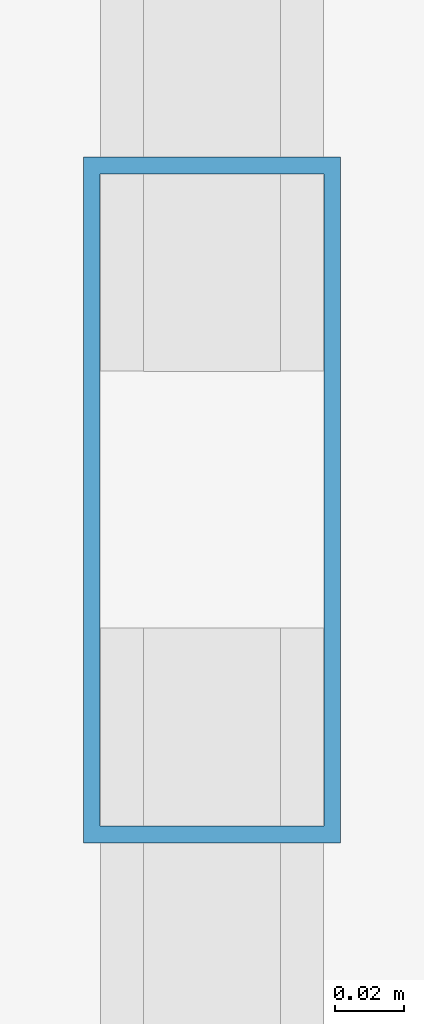
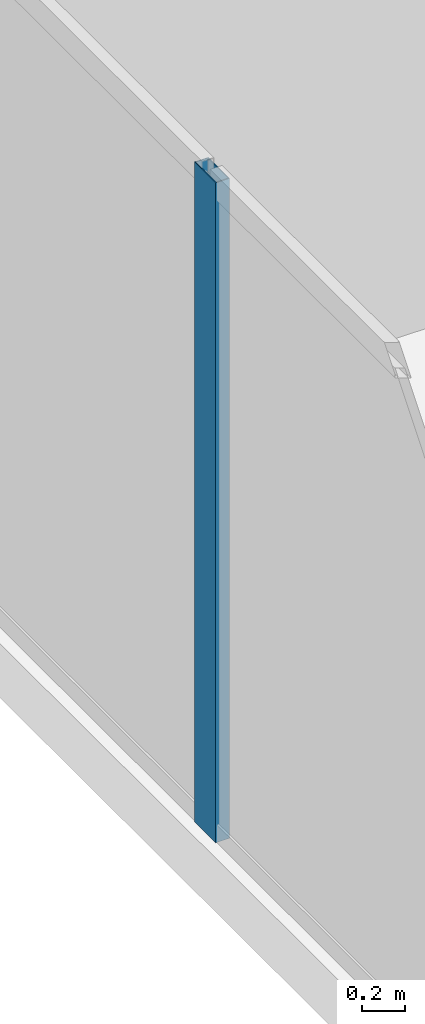
# One storey, part 8 of 30: 1 member, 1 element without a shape of its own.
"""IFC4 building model written with IfcOpenShell, lengths in metres."""

import ifcopenshell
import ifcopenshell.guid

model = None  # the IFC model being written
_history = None  # IfcOwnerHistory: only IFC2X3 demands one
_inside = {}  # id of a spatial element -> (the spatial element, [elements in it])
_under = {}  # id of a project, library or spatial element -> (it, [spatial elements below it])
_declared = {}  # id of a project -> (the project, [libraries it declares])
_typed = {}  # id of a type object -> (the type object, [elements of that type])
_made_of = {}  # id of a material, layer set ... -> (it, [elements and type objects made of it])


def new_model(schema):
    """Start an empty IFC model of exactly this schema.

    Asked for "IFC4X3", IfcOpenShell would pick the latest addendum, in which some entities
    have other attributes; the version numbers below select the first issue.
    IFC2X3 requires an IfcOwnerHistory on every rooted entity: one is made here for all.
    """
    global model, _history
    if schema == "IFC4X3":
        model = ifcopenshell.file(schema_version=(4, 3, 0, 0))
    else:
        model = ifcopenshell.file(schema=schema)
    _inside.clear()
    _under.clear()
    _declared.clear()
    _typed.clear()
    _made_of.clear()
    _history = None
    if model.schema == "IFC2X3":
        org = make("IfcOrganization", Name="unknown")
        user = make(
            "IfcPersonAndOrganization",
            ThePerson=make("IfcPerson", FamilyName="unknown"),
            TheOrganization=org,
        )
        app = make(
            "IfcApplication",
            ApplicationDeveloper=org,
            Version="unknown",
            ApplicationFullName="unknown",
            ApplicationIdentifier="unknown",
        )
        _history = make(
            "IfcOwnerHistory",
            OwningUser=user,
            OwningApplication=app,
            ChangeAction="ADDED",
            CreationDate=0,
        )
    return model


def make(cls, **values):
    """One entity of the class cls with the attributes given. An attribute that is None is left unset."""
    return model.create_entity(
        cls, **{name: value for name, value in values.items() if value is not None}
    )


def rooted(cls, **values):
    """An entity with a GlobalId (a new one), such as an element, a storey or a relation."""
    return make(cls, GlobalId=ifcopenshell.guid.new(), OwnerHistory=_history, **values)


def si_unit(unit_type, name, prefix=None):
    """IfcSIUnit, for example si_unit("LENGTHUNIT", "METRE", prefix="MILLI")."""
    return make("IfcSIUnit", UnitType=unit_type, Prefix=prefix, Name=name)


def assignment(units):
    """IfcUnitAssignment: the units of a project."""
    return None if units is None else make("IfcUnitAssignment", Units=units)


def point(xyz):
    """IfcCartesianPoint."""
    return None if xyz is None else make("IfcCartesianPoint", Coordinates=xyz)


def direction(xyz):
    """IfcDirection."""
    return None if xyz is None else make("IfcDirection", DirectionRatios=xyz)


def frame(location, z_axis=None, x_axis=None):
    """IfcAxis2Placement3D, a coordinate frame: its origin and axes. An axis left out is left unset."""
    return make(
        "IfcAxis2Placement3D",
        Location=point(location),
        Axis=direction(z_axis),
        RefDirection=direction(x_axis),
    )


def frame_2d(location, x_axis=None):
    """IfcAxis2Placement2D, a coordinate frame in the plane: its origin and x axis."""
    return make(
        "IfcAxis2Placement2D", Location=point(location), RefDirection=direction(x_axis)
    )


def origin():
    """The frame at (0, 0, 0) with its axes left unset."""
    return frame((0.0, 0.0, 0.0))


def origin_2d():
    """The frame at (0, 0) in the plane with its x axis left unset."""
    return frame_2d((0.0, 0.0))


def place(relative_to, where):
    """IfcLocalPlacement: puts the frame where relative to a parent placement (None: the world)."""
    return make(
        "IfcLocalPlacement", PlacementRelTo=relative_to, RelativePlacement=where
    )


def context(
    kind, dimensions, precision=None, world=None, true_north=None, identifier=None
):
    """IfcGeometricRepresentationContext, for example the 3D "Model" context."""
    return make(
        "IfcGeometricRepresentationContext",
        ContextIdentifier=identifier,
        ContextType=kind,
        CoordinateSpaceDimension=dimensions,
        Precision=precision,
        WorldCoordinateSystem=world,
        TrueNorth=true_north,
    )


def subcontext(parent, identifier, kind, view, scale=None):
    """IfcGeometricRepresentationSubContext, for example "Body" below "Model"."""
    return make(
        "IfcGeometricRepresentationSubContext",
        ContextIdentifier=identifier,
        ContextType=kind,
        ParentContext=parent,
        TargetScale=scale,
        TargetView=view,
    )


def project(units=None, contexts=None):
    """IfcProject with its units and contexts."""
    return rooted(
        "IfcProject",
        Name="project",
        RepresentationContexts=contexts,
        UnitsInContext=assignment(units),
    )


def spatial(cls, under=None, at=None, **own):
    """A site, building, storey or space (cls), placed at a placement, below another one or the project."""
    s = rooted(cls, ObjectPlacement=at, **own)
    if under is not None:
        _under.setdefault(under.id(), (under, []))[1].append(s)
    return s


def profile(cls, at=None, kind="AREA", **sizes):
    """A parametric profile (cls). Its sizes go by their IFC names, for example OverallWidth=200.0."""
    return make(cls, ProfileType=kind, Position=at, **sizes)


def hollow_rectangle(**sizes):
    """IfcRectangleHollowProfileDef."""
    return profile("IfcRectangleHollowProfileDef", **sizes)


def extrude(swept, where, along, depth):
    """IfcExtrudedAreaSolid: the profile swept, set in the frame where, extruded along a direction by depth."""
    return make(
        "IfcExtrudedAreaSolid",
        SweptArea=swept,
        Position=where,
        ExtrudedDirection=direction(along),
        Depth=depth,
    )


def shape(context_of_items, identifier, shape_type, items):
    """IfcShapeRepresentation: the items that make up one representation, for example the "Body"."""
    return make(
        "IfcShapeRepresentation",
        ContextOfItems=context_of_items,
        RepresentationIdentifier=identifier,
        RepresentationType=shape_type,
        Items=items,
    )


def source(mapping_origin, context_of_items, identifier, shape_type, items):
    """IfcRepresentationMap: a shape defined once, which mapped items show again and again."""
    return make(
        "IfcRepresentationMap",
        MappingOrigin=mapping_origin,
        MappedRepresentation=shape(context_of_items, identifier, shape_type, items),
    )


def transform(
    local_origin,
    x_axis=None,
    y_axis=None,
    z_axis=None,
    scale=None,
    scale2=None,
    scale3=None,
    uniform=True,
):
    """IfcCartesianTransformationOperator3D, or its non-uniform kind. x_axis, y_axis, z_axis: its Axis1, 2, 3."""
    if uniform:
        return make(
            "IfcCartesianTransformationOperator3D",
            Axis1=direction(x_axis),
            Axis2=direction(y_axis),
            LocalOrigin=point(local_origin),
            Scale=scale,
            Axis3=direction(z_axis),
        )
    return make(
        "IfcCartesianTransformationOperator3DnonUniform",
        Axis1=direction(x_axis),
        Axis2=direction(y_axis),
        LocalOrigin=point(local_origin),
        Scale=scale,
        Axis3=direction(z_axis),
        Scale2=scale2,
        Scale3=scale3,
    )


def mapped(mapping_source, mapping_target):
    """IfcMappedItem: shows the shape of a source again, moved by a transform."""
    return make(
        "IfcMappedItem", MappingSource=mapping_source, MappingTarget=mapping_target
    )


def material(Name=None, Category=None):
    """IfcMaterial."""
    return make("IfcMaterial", Name=Name, Category=Category)


def layer(
    of_material, thickness, ventilated=None, Name=None, Category=None, Priority=None
):
    """IfcMaterialLayer: one layer of a wall or slab, of a material (None: an air gap)."""
    return make(
        "IfcMaterialLayer",
        Material=of_material,
        LayerThickness=thickness,
        IsVentilated=ventilated,
        Name=Name,
        Category=Category,
        Priority=Priority,
    )


def layer_set(layers, Name=None):
    """IfcMaterialLayerSet."""
    return make("IfcMaterialLayerSet", MaterialLayers=layers, LayerSetName=Name)


def material_profile(
    of_material, cross_section, Name=None, Category=None, Priority=None
):
    """IfcMaterialProfile: a cross section and its material."""
    return make(
        "IfcMaterialProfile",
        Name=Name,
        Material=of_material,
        Profile=cross_section,
        Priority=Priority,
        Category=Category,
    )


def profile_set(profiles, Name=None, composite=None):
    """IfcMaterialProfileSet."""
    return make(
        "IfcMaterialProfileSet",
        Name=Name,
        MaterialProfiles=profiles,
        CompositeProfile=composite,
    )


def made_of(thing, what):
    """Note that an element or type object is made of a material, layer set ...; save() writes the relation."""
    if what is not None:
        _made_of.setdefault(what.id(), (what, []))[1].append(thing)
    return thing


def type_object(cls, material=None, **own):
    """A type object (cls), such as IfcWallType, which elements share."""
    return made_of(rooted(cls, **own), material)


def type_shapes(of_type, sources):
    """Give a type object the sources (RepresentationMaps) that its elements show as mapped items."""
    of_type.RepresentationMaps = sources


def element(
    cls,
    number,
    at=None,
    inside=None,
    cuts=None,
    type_object=None,
    material=None,
    context=None,
    identifier="Body",
    shape_type=None,
    held_by="IfcProductDefinitionShape",
    body=None,
    shapes=None,
    **own,
):
    """One element of the class cls, such as IfcWall. Its Tag is "e" and its number.

    at: its placement. inside: the storey or other place that contains it. cuts: it is an
    opening in that element (IfcRelVoidsElement). A single representation is given by context,
    identifier, shape_type and body (its items); several are given by shapes. held_by: the class
    of the entity that holds the representations. save() writes the other relations.
    """
    e = rooted(cls, Tag="e%d" % number, ObjectPlacement=at, **own)
    if body is not None:
        shapes = [shape(context, identifier, shape_type, body)]
    if shapes is not None:
        e.Representation = make(held_by, Representations=shapes)
    if inside is not None:
        _inside.setdefault(inside.id(), (inside, []))[1].append(e)
    if cuts is not None:
        rooted(
            "IfcRelVoidsElement", RelatingBuildingElement=cuts, RelatedOpeningElement=e
        )
    if type_object is not None:
        _typed.setdefault(type_object.id(), (type_object, []))[1].append(e)
    return made_of(e, material)


def aggregate(whole, parts):
    """IfcRelAggregates: a whole, such as a stair, and the parts it consists of."""
    return rooted("IfcRelAggregates", RelatingObject=whole, RelatedObjects=parts)


def save(model, path):
    """Write the relations noted so far, then the file.

    IfcRelAggregates (storeys below a building ...), IfcRelContainedInSpatialStructure (elements
    in a storey), IfcRelDefinesByType, IfcRelAssociatesMaterial and IfcRelDeclares: one each for
    every whole, place, type object, material and project.
    """
    for whole, parts in _under.values():
        aggregate(whole, parts)
    for where, things in _inside.values():
        rooted(
            "IfcRelContainedInSpatialStructure",
            RelatedElements=things,
            RelatingStructure=where,
        )
    for kind, things in _typed.values():
        rooted("IfcRelDefinesByType", RelatedObjects=things, RelatingType=kind)
    for what, things in _made_of.values():
        rooted("IfcRelAssociatesMaterial", RelatedObjects=things, RelatingMaterial=what)
    for by, libraries in _declared.values():
        rooted("IfcRelDeclares", RelatingContext=by, RelatedDefinitions=libraries)
    model.write(path)


model = new_model("IFC4")

# Units and contexts
model_context = context("Model", 3, precision=1e-05, world=origin(), true_north=direction((0.0, 1.0)))
body_context = subcontext(model_context, "Body", "Model", "MODEL_VIEW")
ifc_project = project(units=[si_unit("LENGTHUNIT", "METRE"), si_unit("AREAUNIT", "SQUARE_METRE"), si_unit("VOLUMEUNIT", "CUBIC_METRE"), si_unit("PLANEANGLEUNIT", "RADIAN"), si_unit("MASSUNIT", "GRAM", prefix="KILO")], contexts=[model_context])

# Site, building, storey
site_placement = place(None, origin())
site = spatial("IfcSite", under=ifc_project, at=site_placement, CompositionType="ELEMENT")
building_placement = place(site_placement, origin())
building = spatial("IfcBuilding", under=site, at=building_placement, Name="Haelvirn Gate Laboratories", CompositionType="ELEMENT")
storey_placement = place(building_placement, frame((0.0, 0.0, 142.0)))
storey = spatial("IfcBuildingStorey", under=building, at=storey_placement, Name="L34", CompositionType="ELEMENT", Elevation=142.0)

# Curtain wall, member
ifc_material_1 = material(Name="Anodised bronze unitised aluminium & triple low-E glass", Category="aluminium")
ifc_layer = layer(ifc_material_1, 0.179931640625, Name="CW-SYS-3")
ifc_layer_set = layer_set([ifc_layer], Name="Anodised bronze unitised aluminium & triple low-E glass")
curtain_wall_type = type_object("IfcCurtainWallType", Name="CW-SYS-3", PredefinedType="NOTDEFINED", material=ifc_layer_set)
curtain_wall_placement = place(storey_placement, origin())
curtain_wall = element("IfcCurtainWall", 1, at=curtain_wall_placement, inside=storey, type_object=curtain_wall_type, Name="L34 Unitised Curtain Wall CW-L34-P0-E17", PredefinedType="NOTDEFINED")
ifc_material_2 = material(Name="Extruded aluminium 6063-T6 (anodised bronze)", Category="aluminium")
ifc_material_profile = material_profile(ifc_material_2, hollow_rectangle(XDim=0.074951171875, YDim=0.199951171875, WallThickness=0.0048828125, at=origin_2d()), Name="CWM-200x75x5")
ifc_profile_set = profile_set([ifc_material_profile], Name="Extruded aluminium 6063-T6 (anodised bronze)")
member_type = type_object("IfcMemberType", Name="CWM-T200", PredefinedType="MULLION", material=ifc_profile_set)
shared_shape = source(origin(), body_context, "Body", "SweptSolid", [
    extrude(hollow_rectangle(XDim=0.074951171875, YDim=0.199951171875, WallThickness=0.0048828125, at=origin_2d()), origin(), (0.0, 0.0, 1.0), 3.7900390625),
])
type_shapes(member_type, [shared_shape])
member_placement = place(storey_placement, frame((2.10009765625, 30.966552734375, 0.0), z_axis=(0.0, 0.0, 1.0), x_axis=(1.0, 0.0, 0.0)))
member = element("IfcMember", 2, at=member_placement, type_object=member_type, Name="CW3 mullion 2", PredefinedType="MULLION", context=body_context, shape_type="MappedRepresentation", body=[
    mapped(shared_shape, transform((0.0, 0.0, 0.0), scale=1.0)),
])
aggregate(curtain_wall, [member])

save(model, "model.ifc")
